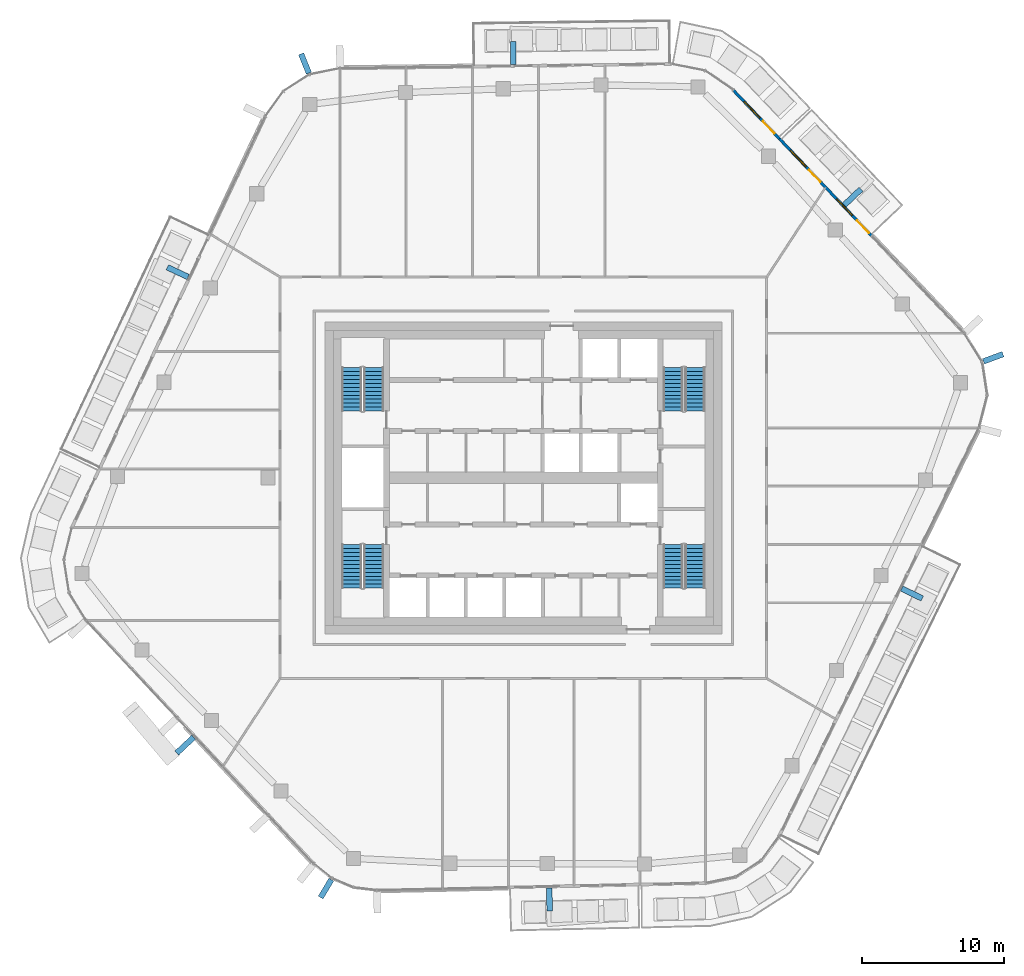
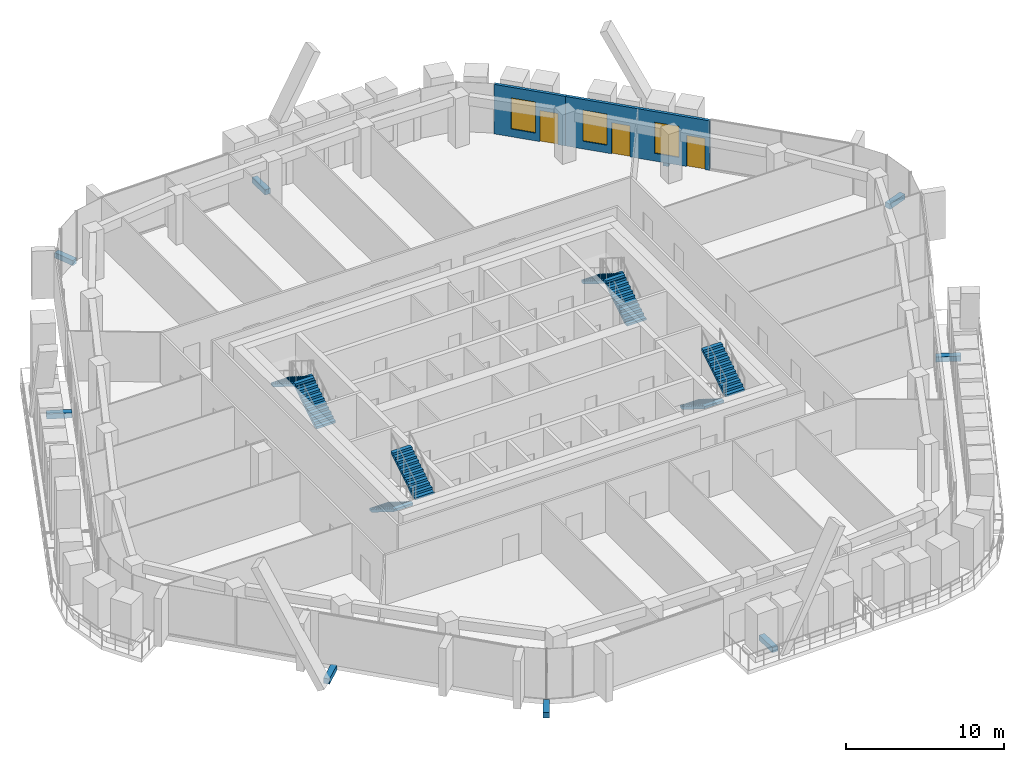
# One storey, part 17 of 23: 9 discrete accessories, 8 stair flights, 3 doors, 3 windows, 2 walls, 6 openings, 4 elements without a shape of their own.
"""IFC4 building model written with IfcOpenShell, lengths in metres."""

from ifc_helpers import new_model, si_unit, direction, frame, frame_2d, origin, origin_2d, place, context, subcontext, project, spatial, polyline, rectangle, outline, extrude, material, layer, layer_set, type_object, element, fill, aggregate, save


model = new_model("IFC4")

# Units and contexts
model_context = context("Model", 3, precision=1e-05, world=origin(), true_north=direction((0.0, 1.0)))
body_context = subcontext(model_context, "Body", "Model", "MODEL_VIEW")
ifc_project = project(units=[si_unit("LENGTHUNIT", "METRE"), si_unit("AREAUNIT", "SQUARE_METRE"), si_unit("VOLUMEUNIT", "CUBIC_METRE"), si_unit("PLANEANGLEUNIT", "RADIAN"), si_unit("MASSUNIT", "GRAM", prefix="KILO")], contexts=[model_context])

# Site, building, storey
site_placement = place(None, origin())
site = spatial("IfcSite", under=ifc_project, at=site_placement, CompositionType="ELEMENT")
building_placement = place(site_placement, origin())
building = spatial("IfcBuilding", under=site, at=building_placement, Name="Dongbaek Canopy Tower", CompositionType="ELEMENT")
storey_placement = place(building_placement, frame((0.0, 0.0, 340.39990234375)))
storey = spatial("IfcBuildingStorey", under=building, at=storey_placement, Name="L73", CompositionType="ELEMENT", Elevation=340.39990234375)

# Wall, openings, doors, windows
ifc_material_1 = material(Name="Aluminium window wall", Category="aluminium")
ifc_layer_1 = layer(ifc_material_1, 0.199951171875)
ifc_layer_set_1 = layer_set([ifc_layer_1], Name="Window wall 200")
wall_type = type_object("IfcWallType", Name="Window wall 200", PredefinedType="SOLIDWALL", material=ifc_layer_set_1)
wall_1_placement = place(storey_placement, frame((24.5634765625, 17.048583984375, 0.0), z_axis=(0.0, 0.0, 1.0), x_axis=(-0.688807081371, 0.724944690755, 0.0)))
wall_1 = element("IfcWall", 1, at=wall_1_placement, inside=storey, type_object=wall_type, Name="Window wall L73 1", PredefinedType="SOLIDWALL", context=body_context, shape_type="SweptSolid", body=[
    extrude(rectangle(XDim=9.46484375, YDim=0.199951171875, at=frame_2d((4.732421875, 0.0))), origin(), (0.0, 0.0, 1.0), 3.820068359375),
])
opening_1_placement = place(wall_1_placement, frame((2.0, 0.0, 0.60009765625)))
opening_1 = element("IfcOpeningElement", 2, at=opening_1_placement, cuts=wall_1, Name="Opening W1", PredefinedType="OPENING", context=body_context, shape_type="SweptSolid", body=[
    extrude(rectangle(XDim=1.60009765625, YDim=2.39990234375, at=frame_2d((0.800048828125, 1.199951171875))), frame((0.0, 0.10986328125, 0.0), z_axis=(0.0, -1.0, 0.0), x_axis=(1.0, 0.0, 0.0)), (0.0, 0.0, 1.0), 0.219970703125),
])
opening_2_placement = place(wall_1_placement, frame((0.300048828125, 0.0, 0.0)))
opening_2 = element("IfcOpeningElement", 3, at=opening_2_placement, cuts=wall_1, Name="Opening L73-B01", PredefinedType="OPENING", context=body_context, shape_type="SweptSolid", body=[
    extrude(rectangle(XDim=1.199951171875, YDim=2.39990234375, at=frame_2d((0.60009765625, 1.199951171875))), frame((0.0, 0.10986328125, 0.0), z_axis=(0.0, -1.0, 0.0), x_axis=(1.0, 0.0, 0.0)), (0.0, 0.0, 1.0), 0.219970703125),
])
opening_3_placement = place(wall_1_placement, frame((6.732666015625, 0.0, 0.60009765625)))
opening_3 = element("IfcOpeningElement", 4, at=opening_3_placement, cuts=wall_1, Name="Opening W1", PredefinedType="OPENING", context=body_context, shape_type="SweptSolid", body=[
    extrude(rectangle(XDim=1.60009765625, YDim=2.39990234375, at=frame_2d((0.800048828125, 1.199951171875))), frame((0.0, 0.10986328125, 0.0), z_axis=(0.0, -1.0, 0.0), x_axis=(1.0, 0.0, 0.0)), (0.0, 0.0, 1.0), 0.219970703125),
])
opening_4_placement = place(wall_1_placement, frame((5.232666015625, 0.0, 0.0)))
opening_4 = element("IfcOpeningElement", 5, at=opening_4_placement, cuts=wall_1, Name="Opening L73-B02", PredefinedType="OPENING", context=body_context, shape_type="SweptSolid", body=[
    extrude(rectangle(XDim=1.199951171875, YDim=2.39990234375, at=frame_2d((0.60009765625, 1.199951171875))), frame((0.0, 0.10986328125, 0.0), z_axis=(0.0, -1.0, 0.0), x_axis=(1.0, 0.0, 0.0)), (0.0, 0.0, 1.0), 0.219970703125),
])
ifc_material_2 = material(Name="Clear glazing in aluminium frame", Category="aluminium")
door_type = type_object("IfcDoorType", Name="Balcony door BD1 1200 x 2400", OperationType="SLIDING_TO_LEFT", PredefinedType="DOOR", material=ifc_material_2)
door_1_placement = place(opening_2_placement, origin())
door_1 = element("IfcDoor", 6, at=door_1_placement, inside=storey, type_object=door_type, Name="Balcony door L73-B01", OperationType="SLIDING_TO_LEFT", OverallHeight=2.39990234375, OverallWidth=1.199951171875, PredefinedType="DOOR", context=body_context, shape_type="SweptSolid", body=[
    extrude(rectangle(XDim=1.199951171875, YDim=2.39990234375, at=frame_2d((0.60009765625, 1.199951171875))), frame((0.0, 0.02490234375, 0.0), z_axis=(0.0, -1.0, 0.0), x_axis=(1.0, 0.0, 0.0)), (0.0, 0.0, 1.0), 0.050048828125),
])
fill(opening_2, door_1)
door_2_placement = place(opening_4_placement, origin())
door_2 = element("IfcDoor", 7, at=door_2_placement, inside=storey, type_object=door_type, Name="Balcony door L73-B02", OperationType="SLIDING_TO_LEFT", OverallHeight=2.39990234375, OverallWidth=1.199951171875, PredefinedType="DOOR", context=body_context, shape_type="SweptSolid", body=[
    extrude(rectangle(XDim=1.199951171875, YDim=2.39990234375, at=frame_2d((0.60009765625, 1.199951171875))), frame((0.0, 0.02490234375, 0.0), z_axis=(0.0, -1.0, 0.0), x_axis=(1.0, 0.0, 0.0)), (0.0, 0.0, 1.0), 0.050048828125),
])
fill(opening_4, door_2)
ifc_material_3 = material(Name="Clear glazing in aluminium frame", Category="aluminium")
window_type = type_object("IfcWindowType", Name="Window W1 1600 x 2400", PartitioningType="SINGLE_PANEL", PredefinedType="WINDOW", material=ifc_material_3)
window_1_placement = place(opening_1_placement, origin())
window_1 = element("IfcWindow", 8, at=window_1_placement, inside=storey, type_object=window_type, Name="Window L73 1.1", OverallHeight=2.39990234375, OverallWidth=1.60009765625, PartitioningType="SINGLE_PANEL", PredefinedType="WINDOW", context=body_context, shape_type="SweptSolid", body=[
    extrude(rectangle(XDim=1.60009765625, YDim=2.39990234375, at=frame_2d((0.800048828125, 1.199951171875))), frame((0.0, 0.030029296875, 0.0), z_axis=(0.0, -1.0, 0.0), x_axis=(1.0, 0.0, 0.0)), (0.0, 0.0, 1.0), 0.06005859375),
])
fill(opening_1, window_1)
window_2_placement = place(opening_3_placement, origin())
window_2 = element("IfcWindow", 9, at=window_2_placement, inside=storey, type_object=window_type, Name="Window L73 1.2", OverallHeight=2.39990234375, OverallWidth=1.60009765625, PartitioningType="SINGLE_PANEL", PredefinedType="WINDOW", context=body_context, shape_type="SweptSolid", body=[
    extrude(rectangle(XDim=1.60009765625, YDim=2.39990234375, at=frame_2d((0.800048828125, 1.199951171875))), frame((0.0, 0.030029296875, 0.0), z_axis=(0.0, -1.0, 0.0), x_axis=(1.0, 0.0, 0.0)), (0.0, 0.0, 1.0), 0.06005859375),
])
fill(opening_3, window_2)

# Wall, openings, door, window
wall_2_placement = place(storey_placement, frame((18.0439453125, 23.91015625, 0.0), z_axis=(0.0, 0.0, 1.0), x_axis=(-0.688806527413, 0.724945217098, 0.0)))
wall_2 = element("IfcWall", 10, at=wall_2_placement, inside=storey, type_object=wall_type, Name="Window wall L73 6", PredefinedType="SOLIDWALL", context=body_context, shape_type="SweptSolid", body=[
    extrude(rectangle(XDim=4.72216796875, YDim=0.199951171875, at=frame_2d((2.361083984375, 0.0))), origin(), (0.0, 0.0, 1.0), 3.820068359375),
])
opening_5_placement = place(wall_2_placement, frame((2.0, 0.0, 0.60009765625)))
opening_5 = element("IfcOpeningElement", 11, at=opening_5_placement, cuts=wall_2, Name="Opening W1", PredefinedType="OPENING", context=body_context, shape_type="SweptSolid", body=[
    extrude(rectangle(XDim=1.60009765625, YDim=2.39990234375, at=frame_2d((0.800048828125, 1.199951171875))), frame((0.0, 0.10986328125, 0.0), z_axis=(0.0, -1.0, 0.0), x_axis=(1.0, 0.0, 0.0)), (0.0, 0.0, 1.0), 0.219970703125),
])
opening_6_placement = place(wall_2_placement, frame((0.5, 0.0, 0.0)))
opening_6 = element("IfcOpeningElement", 12, at=opening_6_placement, cuts=wall_2, Name="Opening L73-B03", PredefinedType="OPENING", context=body_context, shape_type="SweptSolid", body=[
    extrude(rectangle(XDim=1.199951171875, YDim=2.39990234375, at=frame_2d((0.60009765625, 1.199951171875))), frame((0.0, 0.10986328125, 0.0), z_axis=(0.0, -1.0, 0.0), x_axis=(1.0, 0.0, 0.0)), (0.0, 0.0, 1.0), 0.219970703125),
])
door_3_placement = place(opening_6_placement, origin())
door_3 = element("IfcDoor", 13, at=door_3_placement, inside=storey, type_object=door_type, Name="Balcony door L73-B03", OperationType="SLIDING_TO_LEFT", OverallHeight=2.39990234375, OverallWidth=1.199951171875, PredefinedType="DOOR", context=body_context, shape_type="SweptSolid", body=[
    extrude(rectangle(XDim=1.199951171875, YDim=2.39990234375, at=frame_2d((0.60009765625, 1.199951171875))), frame((0.0, 0.02490234375, 0.0), z_axis=(0.0, -1.0, 0.0), x_axis=(1.0, 0.0, 0.0)), (0.0, 0.0, 1.0), 0.050048828125),
])
fill(opening_6, door_3)
window_3_placement = place(opening_5_placement, origin())
window_3 = element("IfcWindow", 14, at=window_3_placement, inside=storey, type_object=window_type, Name="Window L73 6.1", OverallHeight=2.39990234375, OverallWidth=1.60009765625, PartitioningType="SINGLE_PANEL", PredefinedType="WINDOW", context=body_context, shape_type="SweptSolid", body=[
    extrude(rectangle(XDim=1.60009765625, YDim=2.39990234375, at=frame_2d((0.800048828125, 1.199951171875))), frame((0.0, 0.030029296875, 0.0), z_axis=(0.0, -1.0, 0.0), x_axis=(1.0, 0.0, 0.0)), (0.0, 0.0, 1.0), 0.06005859375),
])
fill(opening_5, window_3)

# Stair, stair flights
ifc_material_4 = material(Name="Concrete C40/50", Category="concrete")
stair_type = type_object("IfcStairType", Name="Core exit stair", PredefinedType="HALF_TURN_STAIR", material=ifc_material_4)
stair_1_placement = place(storey_placement, origin())
stair_1 = element("IfcStair", 15, at=stair_1_placement, inside=storey, type_object=stair_type, Name="L73 exit stair A", PredefinedType="HALF_TURN_STAIR")
ifc_material_5 = material(Name="Concrete C40/50", Category="concrete")
ifc_layer_2 = layer(ifc_material_5, 0.14990234375)
ifc_layer_set_2 = layer_set([ifc_layer_2], Name="Core stair flight 150 waist")
stair_flight_type = type_object("IfcStairFlightType", Name="Core stair flight 150 waist", PredefinedType="STRAIGHT", material=ifc_layer_set_2)
stair_flight_1_placement = place(storey_placement, frame((12.10009765625, 4.699951171875, 0.0), z_axis=(0.0, 0.0, 1.0), x_axis=(0.0, 1.0, 0.0)))
stair_flight_1 = element("IfcStairFlight", 16, at=stair_flight_1_placement, type_object=stair_flight_type, Name="ST-A flight 1", NumberOfRisers=12, NumberOfTreads=11, PredefinedType="STRAIGHT", RiserHeight=0.175, TreadLength=0.28, context=body_context, shape_type="SweptSolid", body=[
    extrude(outline(polyline([(0.0, 0.0), (0.0, 0.175048828125), (0.280029296875, 0.175048828125), (0.280029296875, 0.35009765625), (0.56005859375, 0.35009765625), (0.56005859375, 0.52490234375), (0.840087890625, 0.52490234375), (0.840087890625, 0.699951171875), (1.1201171875, 0.699951171875), (1.1201171875, 0.875), (1.39990234375, 0.875), (1.39990234375, 1.050048828125), (1.679931640625, 1.050048828125), (1.679931640625, 1.22509765625), (1.9599609375, 1.22509765625), (1.9599609375, 1.39990234375), (2.239990234375, 1.39990234375), (2.239990234375, 1.574951171875), (2.52001953125, 1.574951171875), (2.52001953125, 1.75), (2.800048828125, 1.75), (2.800048828125, 1.925048828125), (3.080078125, 1.925048828125), (3.080078125, 2.10009765625), (3.080078125, 1.748291015625), (0.28271484375, 0.0), (0.0, 0.0)])), frame((0.0, 0.699951171875, 0.0), z_axis=(0.0, -1.0, 0.0), x_axis=(1.0, 0.0, 0.0)), (0.0, 0.0, 1.0), 1.39990234375),
])
stair_flight_2_placement = place(storey_placement, frame((10.550048828125, 7.780029296875, 2.10009765625), z_axis=(0.0, 0.0, 1.0), x_axis=(0.0, -1.0, 0.0)))
stair_flight_2 = element("IfcStairFlight", 17, at=stair_flight_2_placement, type_object=stair_flight_type, Name="ST-A flight 2", NumberOfRisers=12, NumberOfTreads=11, PredefinedType="STRAIGHT", RiserHeight=0.175, TreadLength=0.28, context=body_context, shape_type="SweptSolid", body=[
    extrude(outline(polyline([(0.0, 0.0), (0.0, 0.175048828125), (0.280029296875, 0.175048828125), (0.280029296875, 0.35009765625), (0.56005859375, 0.35009765625), (0.56005859375, 0.52490234375), (0.840087890625, 0.52490234375), (0.840087890625, 0.699951171875), (1.1201171875, 0.699951171875), (1.1201171875, 0.875), (1.39990234375, 0.875), (1.39990234375, 1.050048828125), (1.679931640625, 1.050048828125), (1.679931640625, 1.22509765625), (1.9599609375, 1.22509765625), (1.9599609375, 1.39990234375), (2.239990234375, 1.39990234375), (2.239990234375, 1.574951171875), (2.52001953125, 1.574951171875), (2.52001953125, 1.75), (2.800048828125, 1.75), (2.800048828125, 1.925048828125), (3.080078125, 1.925048828125), (3.080078125, 2.10009765625), (3.080078125, 1.748291015625), (0.28271484375, 0.0), (0.0, 0.0)])), frame((0.0, 0.699951171875, 0.0), z_axis=(0.0, -1.0, 0.0), x_axis=(1.0, 0.0, 0.0)), (0.0, 0.0, 1.0), 1.39990234375),
])
aggregate(stair_1, [stair_flight_1, stair_flight_2])

stair_2_placement = place(storey_placement, origin())
stair_2 = element("IfcStair", 18, at=stair_2_placement, inside=storey, type_object=stair_type, Name="L73 exit stair C", PredefinedType="HALF_TURN_STAIR")
stair_flight_3_placement = place(storey_placement, frame((-10.550048828125, 4.699951171875, 0.0), z_axis=(0.0, 0.0, 1.0), x_axis=(0.0, 1.0, 0.0)))
stair_flight_3 = element("IfcStairFlight", 19, at=stair_flight_3_placement, type_object=stair_flight_type, Name="ST-C flight 1", NumberOfRisers=12, NumberOfTreads=11, PredefinedType="STRAIGHT", RiserHeight=0.175, TreadLength=0.28, context=body_context, shape_type="SweptSolid", body=[
    extrude(outline(polyline([(0.0, 0.0), (0.0, 0.175048828125), (0.280029296875, 0.175048828125), (0.280029296875, 0.35009765625), (0.56005859375, 0.35009765625), (0.56005859375, 0.52490234375), (0.840087890625, 0.52490234375), (0.840087890625, 0.699951171875), (1.1201171875, 0.699951171875), (1.1201171875, 0.875), (1.39990234375, 0.875), (1.39990234375, 1.050048828125), (1.679931640625, 1.050048828125), (1.679931640625, 1.22509765625), (1.9599609375, 1.22509765625), (1.9599609375, 1.39990234375), (2.239990234375, 1.39990234375), (2.239990234375, 1.574951171875), (2.52001953125, 1.574951171875), (2.52001953125, 1.75), (2.800048828125, 1.75), (2.800048828125, 1.925048828125), (3.080078125, 1.925048828125), (3.080078125, 2.10009765625), (3.080078125, 1.748291015625), (0.28271484375, 0.0), (0.0, 0.0)])), frame((0.0, 0.699951171875, 0.0), z_axis=(0.0, -1.0, 0.0), x_axis=(1.0, 0.0, 0.0)), (0.0, 0.0, 1.0), 1.39990234375),
])
stair_flight_4_placement = place(storey_placement, frame((-12.10009765625, 7.780029296875, 2.10009765625), z_axis=(0.0, 0.0, 1.0), x_axis=(0.0, -1.0, 0.0)))
stair_flight_4 = element("IfcStairFlight", 20, at=stair_flight_4_placement, type_object=stair_flight_type, Name="ST-C flight 2", NumberOfRisers=12, NumberOfTreads=11, PredefinedType="STRAIGHT", RiserHeight=0.175, TreadLength=0.28, context=body_context, shape_type="SweptSolid", body=[
    extrude(outline(polyline([(0.0, 0.0), (0.0, 0.175048828125), (0.280029296875, 0.175048828125), (0.280029296875, 0.35009765625), (0.56005859375, 0.35009765625), (0.56005859375, 0.52490234375), (0.840087890625, 0.52490234375), (0.840087890625, 0.699951171875), (1.1201171875, 0.699951171875), (1.1201171875, 0.875), (1.39990234375, 0.875), (1.39990234375, 1.050048828125), (1.679931640625, 1.050048828125), (1.679931640625, 1.22509765625), (1.9599609375, 1.22509765625), (1.9599609375, 1.39990234375), (2.239990234375, 1.39990234375), (2.239990234375, 1.574951171875), (2.52001953125, 1.574951171875), (2.52001953125, 1.75), (2.800048828125, 1.75), (2.800048828125, 1.925048828125), (3.080078125, 1.925048828125), (3.080078125, 2.10009765625), (3.080078125, 1.748291015625), (0.28271484375, 0.0), (0.0, 0.0)])), frame((0.0, 0.699951171875, 0.0), z_axis=(0.0, -1.0, 0.0), x_axis=(1.0, 0.0, 0.0)), (0.0, 0.0, 1.0), 1.39990234375),
])
aggregate(stair_2, [stair_flight_3, stair_flight_4])

stair_3_placement = place(storey_placement, origin())
stair_3 = element("IfcStair", 21, at=stair_3_placement, inside=storey, type_object=stair_type, Name="L73 exit stair B", PredefinedType="HALF_TURN_STAIR")
stair_flight_5_placement = place(storey_placement, frame((10.550048828125, -4.699951171875, 0.0), z_axis=(0.0, 0.0, 1.0), x_axis=(0.0, -1.0, 0.0)))
stair_flight_5 = element("IfcStairFlight", 22, at=stair_flight_5_placement, type_object=stair_flight_type, Name="ST-B flight 1", NumberOfRisers=12, NumberOfTreads=11, PredefinedType="STRAIGHT", RiserHeight=0.175, TreadLength=0.28, context=body_context, shape_type="SweptSolid", body=[
    extrude(outline(polyline([(0.0, 0.0), (0.0, 0.175048828125), (0.280029296875, 0.175048828125), (0.280029296875, 0.35009765625), (0.56005859375, 0.35009765625), (0.56005859375, 0.52490234375), (0.840087890625, 0.52490234375), (0.840087890625, 0.699951171875), (1.1201171875, 0.699951171875), (1.1201171875, 0.875), (1.39990234375, 0.875), (1.39990234375, 1.050048828125), (1.679931640625, 1.050048828125), (1.679931640625, 1.22509765625), (1.9599609375, 1.22509765625), (1.9599609375, 1.39990234375), (2.239990234375, 1.39990234375), (2.239990234375, 1.574951171875), (2.52001953125, 1.574951171875), (2.52001953125, 1.75), (2.800048828125, 1.75), (2.800048828125, 1.925048828125), (3.080078125, 1.925048828125), (3.080078125, 2.10009765625), (3.080078125, 1.748291015625), (0.28271484375, 0.0), (0.0, 0.0)])), frame((0.0, 0.699951171875, 0.0), z_axis=(0.0, -1.0, 0.0), x_axis=(1.0, 0.0, 0.0)), (0.0, 0.0, 1.0), 1.39990234375),
])
stair_flight_6_placement = place(storey_placement, frame((12.10009765625, -7.780029296875, 2.10009765625), z_axis=(0.0, 0.0, 1.0), x_axis=(0.0, 1.0, 0.0)))
stair_flight_6 = element("IfcStairFlight", 23, at=stair_flight_6_placement, type_object=stair_flight_type, Name="ST-B flight 2", NumberOfRisers=12, NumberOfTreads=11, PredefinedType="STRAIGHT", RiserHeight=0.175, TreadLength=0.28, context=body_context, shape_type="SweptSolid", body=[
    extrude(outline(polyline([(0.0, 0.0), (0.0, 0.175048828125), (0.280029296875, 0.175048828125), (0.280029296875, 0.35009765625), (0.56005859375, 0.35009765625), (0.56005859375, 0.52490234375), (0.840087890625, 0.52490234375), (0.840087890625, 0.699951171875), (1.1201171875, 0.699951171875), (1.1201171875, 0.875), (1.39990234375, 0.875), (1.39990234375, 1.050048828125), (1.679931640625, 1.050048828125), (1.679931640625, 1.22509765625), (1.9599609375, 1.22509765625), (1.9599609375, 1.39990234375), (2.239990234375, 1.39990234375), (2.239990234375, 1.574951171875), (2.52001953125, 1.574951171875), (2.52001953125, 1.75), (2.800048828125, 1.75), (2.800048828125, 1.925048828125), (3.080078125, 1.925048828125), (3.080078125, 2.10009765625), (3.080078125, 1.748291015625), (0.28271484375, 0.0), (0.0, 0.0)])), frame((0.0, 0.699951171875, 0.0), z_axis=(0.0, -1.0, 0.0), x_axis=(1.0, 0.0, 0.0)), (0.0, 0.0, 1.0), 1.39990234375),
])
aggregate(stair_3, [stair_flight_5, stair_flight_6])

stair_4_placement = place(storey_placement, origin())
stair_4 = element("IfcStair", 24, at=stair_4_placement, inside=storey, type_object=stair_type, Name="L73 exit stair D", PredefinedType="HALF_TURN_STAIR")
stair_flight_7_placement = place(storey_placement, frame((-12.10009765625, -4.699951171875, 0.0), z_axis=(0.0, 0.0, 1.0), x_axis=(0.0, -1.0, 0.0)))
stair_flight_7 = element("IfcStairFlight", 25, at=stair_flight_7_placement, type_object=stair_flight_type, Name="ST-D flight 1", NumberOfRisers=12, NumberOfTreads=11, PredefinedType="STRAIGHT", RiserHeight=0.175, TreadLength=0.28, context=body_context, shape_type="SweptSolid", body=[
    extrude(outline(polyline([(0.0, 0.0), (0.0, 0.175048828125), (0.280029296875, 0.175048828125), (0.280029296875, 0.35009765625), (0.56005859375, 0.35009765625), (0.56005859375, 0.52490234375), (0.840087890625, 0.52490234375), (0.840087890625, 0.699951171875), (1.1201171875, 0.699951171875), (1.1201171875, 0.875), (1.39990234375, 0.875), (1.39990234375, 1.050048828125), (1.679931640625, 1.050048828125), (1.679931640625, 1.22509765625), (1.9599609375, 1.22509765625), (1.9599609375, 1.39990234375), (2.239990234375, 1.39990234375), (2.239990234375, 1.574951171875), (2.52001953125, 1.574951171875), (2.52001953125, 1.75), (2.800048828125, 1.75), (2.800048828125, 1.925048828125), (3.080078125, 1.925048828125), (3.080078125, 2.10009765625), (3.080078125, 1.748291015625), (0.28271484375, 0.0), (0.0, 0.0)])), frame((0.0, 0.699951171875, 0.0), z_axis=(0.0, -1.0, 0.0), x_axis=(1.0, 0.0, 0.0)), (0.0, 0.0, 1.0), 1.39990234375),
])
stair_flight_8_placement = place(storey_placement, frame((-10.550048828125, -7.780029296875, 2.10009765625), z_axis=(0.0, 0.0, 1.0), x_axis=(0.0, 1.0, 0.0)))
stair_flight_8 = element("IfcStairFlight", 26, at=stair_flight_8_placement, type_object=stair_flight_type, Name="ST-D flight 2", NumberOfRisers=12, NumberOfTreads=11, PredefinedType="STRAIGHT", RiserHeight=0.175, TreadLength=0.28, context=body_context, shape_type="SweptSolid", body=[
    extrude(outline(polyline([(0.0, 0.0), (0.0, 0.175048828125), (0.280029296875, 0.175048828125), (0.280029296875, 0.35009765625), (0.56005859375, 0.35009765625), (0.56005859375, 0.52490234375), (0.840087890625, 0.52490234375), (0.840087890625, 0.699951171875), (1.1201171875, 0.699951171875), (1.1201171875, 0.875), (1.39990234375, 0.875), (1.39990234375, 1.050048828125), (1.679931640625, 1.050048828125), (1.679931640625, 1.22509765625), (1.9599609375, 1.22509765625), (1.9599609375, 1.39990234375), (2.239990234375, 1.39990234375), (2.239990234375, 1.574951171875), (2.52001953125, 1.574951171875), (2.52001953125, 1.75), (2.800048828125, 1.75), (2.800048828125, 1.925048828125), (3.080078125, 1.925048828125), (3.080078125, 2.10009765625), (3.080078125, 1.748291015625), (0.28271484375, 0.0), (0.0, 0.0)])), frame((0.0, 0.699951171875, 0.0), z_axis=(0.0, -1.0, 0.0), x_axis=(1.0, 0.0, 0.0)), (0.0, 0.0, 1.0), 1.39990234375),
])
aggregate(stair_4, [stair_flight_7, stair_flight_8])

# Discrete accessories
ifc_material_6 = material(Name="Galvanised steel S355 bracket", Category="steel")
discrete_accessory_type = type_object("IfcDiscreteAccessoryType", Name="Crease fin bracket BR3 400", PredefinedType="BRACKET", material=ifc_material_6)
discrete_accessory_1_placement = place(storey_placement, frame((27.396728515625, -8.158203125, -0.389892578125), z_axis=(0.0, 0.0, 1.0), x_axis=(0.898322224114, -0.439337207238, 0.0)))
element("IfcDiscreteAccessory", 27, at=discrete_accessory_1_placement, inside=storey, type_object=discrete_accessory_type, Name="Crease fin bracket L73 F5", PredefinedType="BRACKET", context=body_context, shape_type="SweptSolid", body=[
    extrude(rectangle(XDim=1.609619140625, YDim=0.39990234375, at=origin_2d()), origin(), (0.0, 0.0, 1.0), 0.39990234375),
])
discrete_accessory_2_placement = place(storey_placement, frame((23.211669921875, 19.792236328125, -0.389892578125), z_axis=(0.0, 0.0, 1.0), x_axis=(0.724939317516, 0.688812736467, 0.0)))
element("IfcDiscreteAccessory", 28, at=discrete_accessory_2_placement, inside=storey, type_object=discrete_accessory_type, Name="Crease fin bracket L73 F0", PredefinedType="BRACKET", context=body_context, shape_type="SweptSolid", body=[
    extrude(rectangle(XDim=1.61962890625, YDim=0.39990234375, at=origin_2d()), origin(), (0.0, 0.0, 1.0), 0.39990234375),
])
discrete_accessory_3_placement = place(storey_placement, frame((-0.7158203125, 29.942138671875, -0.389892578125), z_axis=(0.0, 0.0, 1.0), x_axis=(-0.013164638263, 0.999913342395, 0.0)))
element("IfcDiscreteAccessory", 29, at=discrete_accessory_3_placement, inside=storey, type_object=discrete_accessory_type, Name="Crease fin bracket L73 F1", PredefinedType="BRACKET", context=body_context, shape_type="SweptSolid", body=[
    extrude(rectangle(XDim=1.624267578125, YDim=0.39990234375, at=origin_2d()), origin(), (0.0, 0.0, 1.0), 0.39990234375),
])
discrete_accessory_4_placement = place(storey_placement, frame((-24.369384765625, 14.500244140625, -0.389892578125), z_axis=(0.0, 0.0, 1.0), x_axis=(-0.904958542423, 0.425499749114, 0.0)))
element("IfcDiscreteAccessory", 30, at=discrete_accessory_4_placement, inside=storey, type_object=discrete_accessory_type, Name="Crease fin bracket L73 F2", PredefinedType="BRACKET", context=body_context, shape_type="SweptSolid", body=[
    extrude(rectangle(XDim=1.6162109375, YDim=0.39990234375, at=origin_2d()), origin(), (0.0, 0.0, 1.0), 0.39990234375),
])
discrete_accessory_5_placement = place(storey_placement, frame((-23.84521484375, -18.84716796875, -0.389892578125), z_axis=(0.0, 0.0, 1.0), x_axis=(-0.730438885503, -0.682978063004, 0.0)))
element("IfcDiscreteAccessory", 31, at=discrete_accessory_5_placement, inside=storey, type_object=discrete_accessory_type, Name="Crease fin bracket L73 F3", PredefinedType="BRACKET", context=body_context, shape_type="SweptSolid", body=[
    extrude(rectangle(XDim=1.63671875, YDim=0.39990234375, at=origin_2d()), origin(), (0.0, 0.0, 1.0), 0.39990234375),
])
discrete_accessory_6_placement = place(storey_placement, frame((1.835693359375, -29.72705078125, -0.389892578125), z_axis=(0.0, 0.0, 1.0), x_axis=(0.021675291709, -0.999765063267, 0.0)))
element("IfcDiscreteAccessory", 32, at=discrete_accessory_6_placement, inside=storey, type_object=discrete_accessory_type, Name="Crease fin bracket L73 F4", PredefinedType="BRACKET", context=body_context, shape_type="SweptSolid", body=[
    extrude(rectangle(XDim=1.6337890625, YDim=0.39990234375, at=origin_2d()), origin(), (0.0, 0.0, 1.0), 0.39990234375),
])
for number, where, z_axis, x_axis, name in (
    (33, (33.121337890625, 8.463623046875, -0.389892578125), (0.0, 0.0, 1.0), (0.937665304372, 0.347539604905, 0.0), "Corner fin bracket L73 K0"),
    (34, (-15.39892578125, 29.209228515625, -0.389892578125), (0.0, 0.0, 1.0), (-0.376366563283, 0.926470836045, 0.0), "Corner fin bracket L73 K2"),
    (35, (-13.919189453125, -28.956298828125, -0.389892578125), (0.0, 0.0, 1.0), (-0.513063436245, -0.85835069196, 0.0), "Corner fin bracket L73 K4"),
):
    element("IfcDiscreteAccessory", number, at=place(storey_placement, frame(where, z_axis=z_axis, x_axis=x_axis)), inside=storey, type_object=discrete_accessory_type, Name=name, PredefinedType="BRACKET", context=body_context, shape_type="SweptSolid", body=[
        extrude(rectangle(XDim=1.469970703125, YDim=0.39990234375, at=origin_2d()), origin(), (0.0, 0.0, 1.0), 0.39990234375),
    ])

save(model, "model.ifc")
